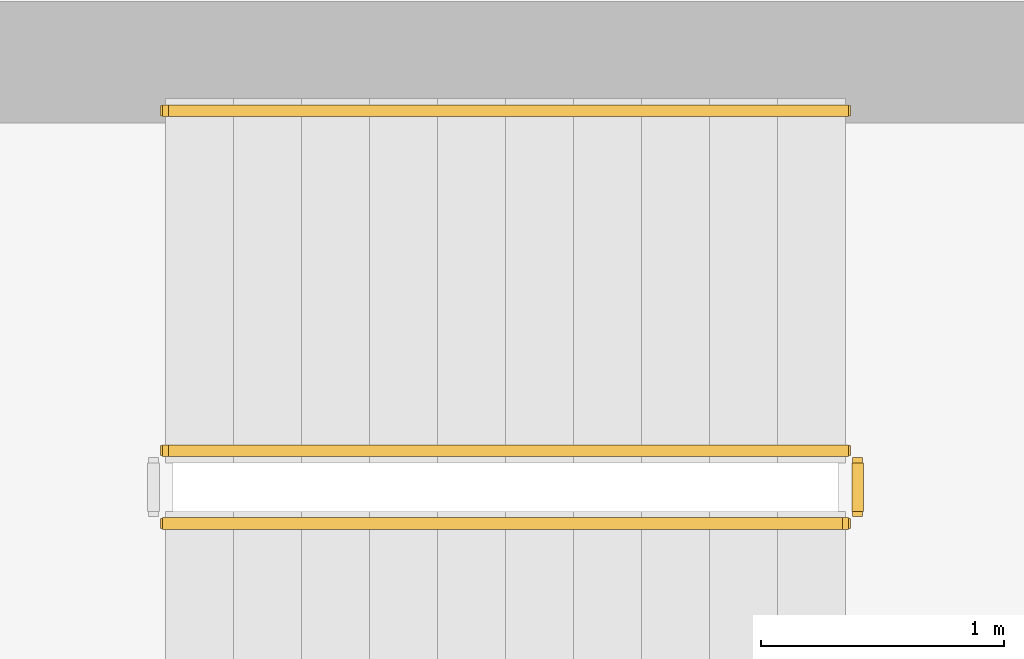
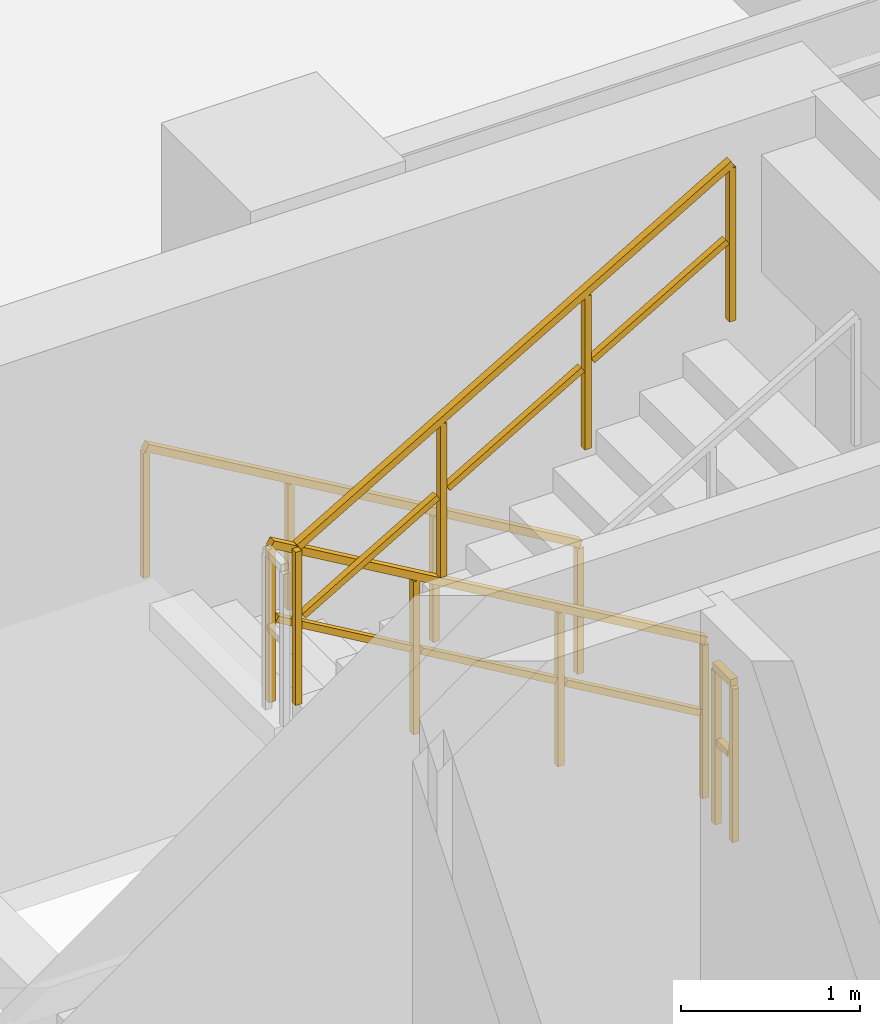
# One storey, part 33 of 35: 4 railings.
"""IFC4 building model written with IfcOpenShell, lengths in metres."""

from ifc_helpers import new_model, si_unit, direction, frame, origin, origin_2d, place, context, subcontext, project, spatial, rectangle, extrude, material, type_object, element, save


model = new_model("IFC4")

# Units and contexts
model_context = context("Model", 3, precision=1e-05, world=origin(), true_north=direction((0.0, 1.0)))
body_context = subcontext(model_context, "Body", "Model", "MODEL_VIEW")
ifc_project = project(units=[si_unit("LENGTHUNIT", "METRE"), si_unit("AREAUNIT", "SQUARE_METRE"), si_unit("VOLUMEUNIT", "CUBIC_METRE"), si_unit("PLANEANGLEUNIT", "RADIAN"), si_unit("MASSUNIT", "GRAM", prefix="KILO")], contexts=[model_context])

# Site, building, storey
site_placement = place(None, origin())
site = spatial("IfcSite", under=ifc_project, at=site_placement, CompositionType="ELEMENT")
building_placement = place(site_placement, origin())
building = spatial("IfcBuilding", under=site, at=building_placement, Name="Thornwick Lancets Civic Towers", CompositionType="ELEMENT")
storey_placement = place(building_placement, frame((0.0, 0.0, 225.89990234375)))
storey = spatial("IfcBuildingStorey", under=building, at=storey_placement, Name="L60", CompositionType="ELEMENT", Elevation=225.89990234375)

# Railings
ifc_material_1 = material(Name="Brushed stainless steel S355", Category="steel")
railing_type_1 = type_object("IfcRailingType", Name="RAIL_HANDRAIL", PredefinedType="HANDRAIL", material=ifc_material_1)
railing_1_placement = place(storey_placement, frame((31.60009765625, 38.949951171875, 0.163818359375)))
element("IfcRailing", 1, at=railing_1_placement, inside=storey, type_object=railing_type_1, Name="L60 ST-A2 stair handrail 1", PredefinedType="HANDRAIL", context=body_context, shape_type="SweptSolid", body=[
    extrude(rectangle(XDim=0.048095703125, YDim=0.048095703125, at=origin_2d()), frame((0.0, 0.0, 0.8857421875), z_axis=(-0.863393664356, 0.0, 0.504530851732), x_axis=(0.0, -1.0, 0.0)), (0.0, 0.0, 1.0), 3.2431640625),
    extrude(rectangle(XDim=0.0419921875, YDim=0.0419921875, at=origin_2d()), origin(), (0.0, 0.0, 1.0), 0.855712890625),
    extrude(rectangle(XDim=0.0419921875, YDim=0.0419921875, at=origin_2d()), frame((-0.933349609375, 0.0, 0.54541015625)), (0.0, 0.0, 1.0), 0.855712890625),
    extrude(rectangle(XDim=0.0419921875, YDim=0.0419921875, at=origin_2d()), frame((-1.86669921875, 0.0, 1.0908203125)), (0.0, 0.0, 1.0), 0.855712890625),
    extrude(rectangle(XDim=0.0419921875, YDim=0.0419921875, at=origin_2d()), frame((-2.800048828125, 0.0, 1.63623046875)), (0.0, 0.0, 1.0), 0.855712890625),
])
ifc_material_2 = material(Name="Steel S355JR", Category="steel")
railing_type_2 = type_object("IfcRailingType", Name="RAIL_STAIR_GUARD", PredefinedType="GUARDRAIL", material=ifc_material_2)
railing_2_placement = place(storey_placement, frame((31.60009765625, 37.550048828125, 0.163818359375)))
element("IfcRailing", 2, at=railing_2_placement, inside=storey, type_object=railing_type_2, Name="L60 ST-A2 stair guard 1", PredefinedType="GUARDRAIL", context=body_context, shape_type="SweptSolid", body=[
    extrude(rectangle(XDim=0.048095703125, YDim=0.048095703125, at=origin_2d()), frame((0.0, 0.0, 1.076171875), z_axis=(-0.863393664356, 0.0, 0.504530851732), x_axis=(0.0, -1.0, 0.0)), (0.0, 0.0, 1.0), 3.2431640625),
    extrude(rectangle(XDim=0.0419921875, YDim=0.0419921875, at=origin_2d()), frame((-0.032470703125, 0.0, 0.591064453125), z_axis=(-0.863393664356, 0.0, 0.504530851732), x_axis=(0.0, -1.0, 0.0)), (0.0, 0.0, 1.0), 1.006103515625),
    extrude(rectangle(XDim=0.0419921875, YDim=0.0419921875, at=origin_2d()), frame((-0.9658203125, 0.0, 1.136474609375), z_axis=(-0.863393664356, 0.0, 0.504530851732), x_axis=(0.0, -1.0, 0.0)), (0.0, 0.0, 1.0), 1.006103515625),
    extrude(rectangle(XDim=0.0419921875, YDim=0.0419921875, at=origin_2d()), frame((-1.899169921875, 0.0, 1.681884765625), z_axis=(-0.863393664356, 0.0, 0.504530851732), x_axis=(0.0, -1.0, 0.0)), (0.0, 0.0, 1.0), 1.006103515625),
    extrude(rectangle(XDim=0.0419921875, YDim=0.0419921875, at=origin_2d()), origin(), (0.0, 0.0, 1.0), 1.0458984375),
    extrude(rectangle(XDim=0.0419921875, YDim=0.0419921875, at=origin_2d()), frame((-0.933349609375, 0.0, 0.54541015625)), (0.0, 0.0, 1.0), 1.0458984375),
    extrude(rectangle(XDim=0.0419921875, YDim=0.0419921875, at=origin_2d()), frame((-1.86669921875, 0.0, 1.0908203125)), (0.0, 0.0, 1.0), 1.0458984375),
    extrude(rectangle(XDim=0.0419921875, YDim=0.0419921875, at=origin_2d()), frame((-2.800048828125, 0.0, 1.63623046875)), (0.0, 0.0, 1.0), 1.0458984375),
])
railing_3_placement = place(storey_placement, frame((28.800048828125, 37.25, 1.963623046875)))
element("IfcRailing", 3, at=railing_3_placement, inside=storey, type_object=railing_type_2, Name="L60 ST-A2 stair guard 3", PredefinedType="GUARDRAIL", context=body_context, shape_type="SweptSolid", body=[
    extrude(rectangle(XDim=0.048095703125, YDim=0.048095703125, at=origin_2d()), frame((0.0, 0.0, 1.076171875), z_axis=(0.863360870873, 0.0, 0.504586966384), x_axis=(0.0, 1.0, 0.0)), (0.0, 0.0, 1.0), 3.2431640625),
    extrude(rectangle(XDim=0.0419921875, YDim=0.0419921875, at=origin_2d()), frame((0.032470703125, 0.0, 0.591064453125), z_axis=(0.863360870873, 0.0, 0.504586966384), x_axis=(0.0, 1.0, 0.0)), (0.0, 0.0, 1.0), 1.006103515625),
    extrude(rectangle(XDim=0.0419921875, YDim=0.0419921875, at=origin_2d()), frame((0.9658203125, 0.0, 1.136474609375), z_axis=(0.863360870873, 0.0, 0.504586966384), x_axis=(0.0, 1.0, 0.0)), (0.0, 0.0, 1.0), 1.006103515625),
    extrude(rectangle(XDim=0.0419921875, YDim=0.0419921875, at=origin_2d()), frame((1.899169921875, 0.0, 1.681884765625), z_axis=(0.863360870873, 0.0, 0.504586966384), x_axis=(0.0, 1.0, 0.0)), (0.0, 0.0, 1.0), 1.006103515625),
    extrude(rectangle(XDim=0.0419921875, YDim=0.0419921875, at=origin_2d()), origin(), (0.0, 0.0, 1.0), 1.0458984375),
    extrude(rectangle(XDim=0.0419921875, YDim=0.0419921875, at=origin_2d()), frame((0.933349609375, 0.0, 0.54541015625)), (0.0, 0.0, 1.0), 1.0458984375),
    extrude(rectangle(XDim=0.0419921875, YDim=0.0419921875, at=origin_2d()), frame((1.86669921875, 0.0, 1.091064453125)), (0.0, 0.0, 1.0), 1.0458984375),
    extrude(rectangle(XDim=0.0419921875, YDim=0.0419921875, at=origin_2d()), frame((2.800048828125, 0.0, 1.636474609375)), (0.0, 0.0, 1.0), 1.0458984375),
])
railing_4_placement = place(storey_placement, frame((31.64990234375, 37.5, 0.0)))
element("IfcRailing", 4, at=railing_4_placement, inside=storey, type_object=railing_type_2, Name="L60 ST-A2 stair guard 4", PredefinedType="GUARDRAIL", context=body_context, shape_type="SweptSolid", body=[
    extrude(rectangle(XDim=0.048095703125, YDim=0.048095703125, at=origin_2d()), frame((0.0, 0.0, 1.076171875), z_axis=(0.0, -1.0, 0.0), x_axis=(1.0, 0.0, 0.0)), (0.0, 0.0, 1.0), 0.199951171875),
    extrude(rectangle(XDim=0.0419921875, YDim=0.0419921875, at=origin_2d()), frame((0.0, -0.03759765625, 0.572021484375), z_axis=(0.0, -1.0, 0.0), x_axis=(1.0, 0.0, 0.0)), (0.0, 0.0, 1.0), 0.125),
    extrude(rectangle(XDim=0.0419921875, YDim=0.0419921875, at=origin_2d()), origin(), (0.0, 0.0, 1.0), 1.0458984375),
    extrude(rectangle(XDim=0.0419921875, YDim=0.0419921875, at=origin_2d()), frame((0.0, -0.199951171875, 0.0)), (0.0, 0.0, 1.0), 1.0458984375),
])

save(model, "model.ifc")
